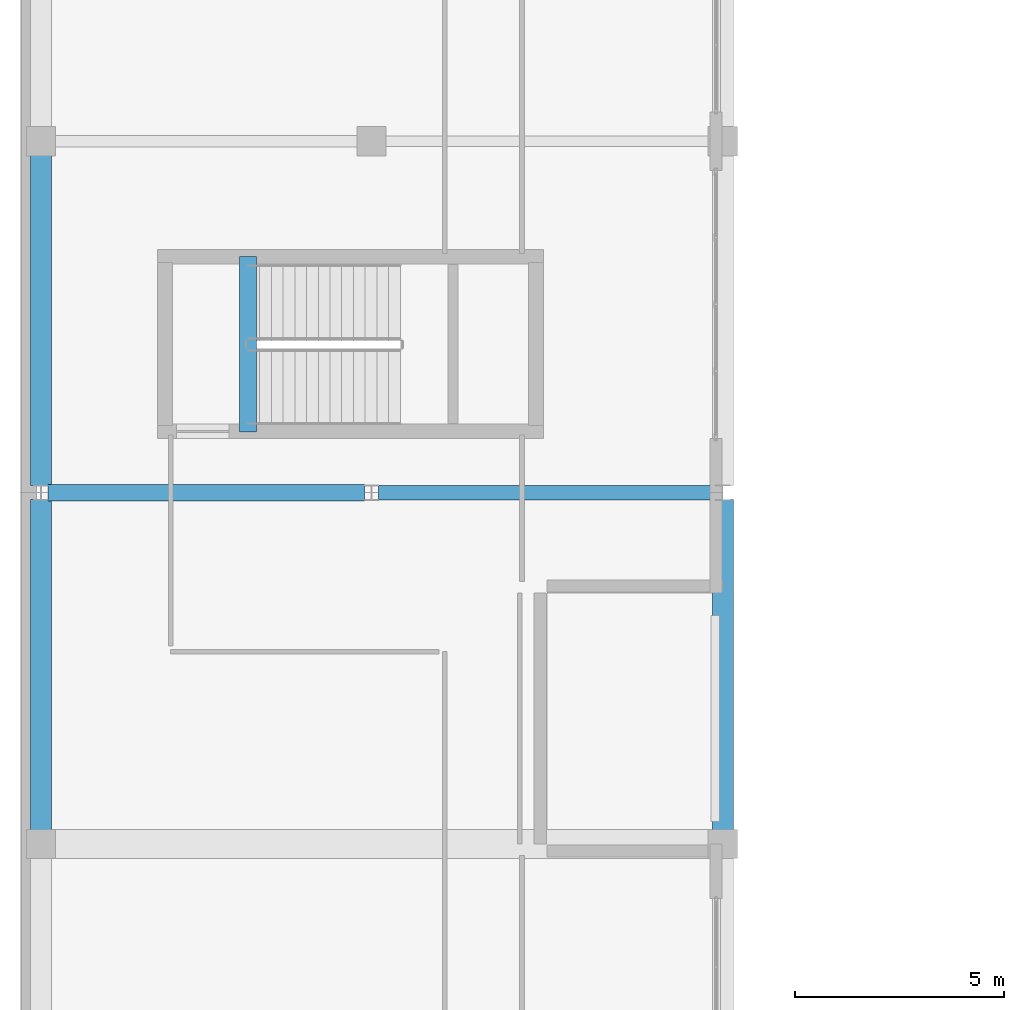
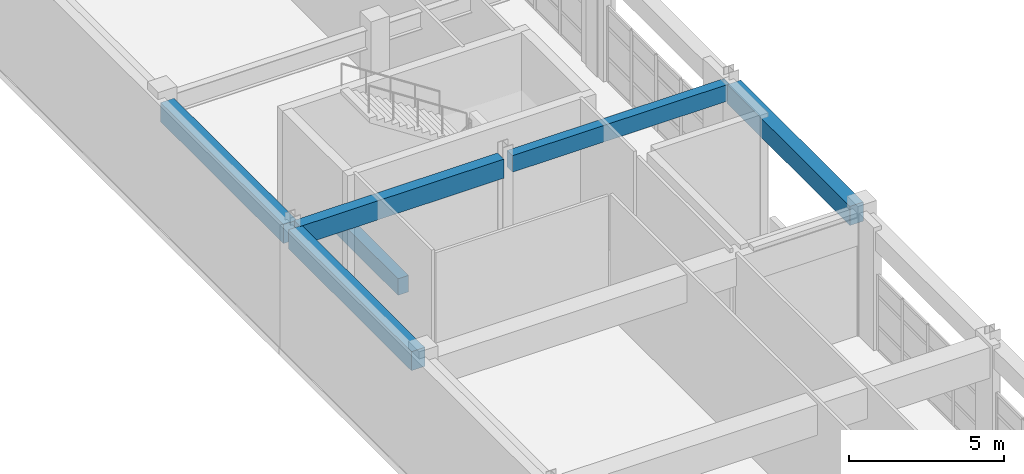
# One storey, part 18 of 103: 6 beams.
"""IFC4 building model written with IfcOpenShell, lengths in metres."""

from ifc_helpers import new_model, si_unit, direction, frame, origin, origin_2d, place, context, subcontext, project, spatial, rectangle, extrude, material, material_profile, profile_set, type_object, element, save


model = new_model("IFC4")

# Units and contexts
model_context = context("Model", 3, precision=1e-05, world=origin(), true_north=direction((0.0, 1.0)))
body_context = subcontext(model_context, "Body", "Model", "MODEL_VIEW")
ifc_project = project(units=[si_unit("LENGTHUNIT", "METRE"), si_unit("AREAUNIT", "SQUARE_METRE"), si_unit("VOLUMEUNIT", "CUBIC_METRE"), si_unit("PLANEANGLEUNIT", "RADIAN"), si_unit("MASSUNIT", "GRAM", prefix="KILO")], contexts=[model_context])

# Site, building, storey
site_placement = place(None, origin())
site = spatial("IfcSite", under=ifc_project, at=site_placement, CompositionType="ELEMENT")
building_placement = place(site_placement, origin())
building = spatial("IfcBuilding", under=site, at=building_placement, Name="Quendrovan Civic Courthouse", CompositionType="ELEMENT")
storey_placement = place(building_placement, frame((0.0, 0.0, 15.300048828125)))
storey = spatial("IfcBuildingStorey", under=building, at=storey_placement, Name="L04", CompositionType="ELEMENT", Elevation=15.300048828125)

# Beams
ifc_material = material(Name="Concrete C40/50", Category="concrete")
ifc_material_profile_1 = material_profile(ifc_material, rectangle(XDim=0.39990234375, YDim=0.64990234375, at=origin_2d()), Name="RC-BM-400x650")
ifc_profile_set_1 = profile_set([ifc_material_profile_1], Name="Concrete C40/50")
beam_type_1 = type_object("IfcBeamType", Name="BM-RC650", PredefinedType="JOIST", material=ifc_profile_set_1)
beam_1_placement = place(storey_placement, frame((5.449951171875, 57.85009765625, -0.324951171875), z_axis=(0.0, 1.0, 0.0), x_axis=(-1.0, 0.0, 0.0)))
element("IfcBeam", 1, at=beam_1_placement, inside=storey, type_object=beam_type_1, Name="L04 Stair ST4 Landing Trimmer Beam", PredefinedType="JOIST", context=body_context, shape_type="SweptSolid", body=[
    extrude(rectangle(XDim=0.39990234375, YDim=0.64990234375, at=origin_2d()), origin(), (0.0, 0.0, 1.0), 4.199951171875),
])
ifc_material_profile_2 = material_profile(ifc_material, rectangle(XDim=0.35009765625, YDim=0.64990234375, at=origin_2d()), Name="RC-BM-350x650")
ifc_profile_set_2 = profile_set([ifc_material_profile_2], Name="Concrete C40/50")
beam_type_2 = type_object("IfcBeamType", Name="BM-RC650B", PredefinedType="BEAM", material=ifc_profile_set_2)
beam_2_placement = place(storey_placement, frame((8.56689453125, 56.39990234375, 4.3349609375), z_axis=(1.0, 0.0, 0.0), x_axis=(0.0, 1.0, 0.0)))
element("IfcBeam", 2, at=beam_2_placement, inside=storey, type_object=beam_type_2, Name="L04 Girder X0905", PredefinedType="BEAM", context=body_context, shape_type="SweptSolid", body=[
    extrude(rectangle(XDim=0.35009765625, YDim=0.64990234375, at=origin_2d()), origin(), (0.0, 0.0, 1.0), 8.066162109375),
])
ifc_material_profile_3 = material_profile(ifc_material, rectangle(XDim=0.5, YDim=0.75, at=origin_2d()), Name="RC-BM-500x750")
ifc_profile_set_3 = profile_set([ifc_material_profile_3], Name="Concrete C40/50")
beam_type_3 = type_object("IfcBeamType", Name="BM-RC750", PredefinedType="SPANDREL", material=ifc_profile_set_3)
beam_3_placement = place(storey_placement, frame((0.5, 48.330078125, 4.284912109375), z_axis=(0.0, 1.0, 0.0), x_axis=(-1.0, 0.0, 0.0)))
element("IfcBeam", 3, at=beam_3_placement, inside=storey, type_object=beam_type_3, Name="L04 Girder Y0942", PredefinedType="SPANDREL", context=body_context, shape_type="SweptSolid", body=[
    extrude(rectangle(XDim=0.5, YDim=0.75, at=origin_2d()), origin(), (0.0, 0.0, 1.0), 7.90380859375),
])
beam_4_placement = place(storey_placement, frame((0.5, 56.56591796875, 4.284912109375), z_axis=(0.0, 1.0, 0.0), x_axis=(-1.0, 0.0, 0.0)))
element("IfcBeam", 4, at=beam_4_placement, inside=storey, type_object=beam_type_3, Name="L04 Girder Y0943", PredefinedType="SPANDREL", context=body_context, shape_type="SweptSolid", body=[
    extrude(rectangle(XDim=0.5, YDim=0.75, at=origin_2d()), origin(), (0.0, 0.0, 1.0), 7.904052734375),
])
beam_5_placement = place(storey_placement, frame((16.800048828125, 48.330078125, 4.284912109375), z_axis=(0.0, 1.0, 0.0), x_axis=(-1.0, 0.0, 0.0)))
element("IfcBeam", 5, at=beam_5_placement, inside=storey, type_object=beam_type_3, Name="L04 Girder Y0957", PredefinedType="SPANDREL", context=body_context, shape_type="SweptSolid", body=[
    extrude(rectangle(XDim=0.5, YDim=0.75, at=origin_2d()), origin(), (0.0, 0.0, 1.0), 7.90380859375),
])
ifc_material_profile_4 = material_profile(ifc_material, rectangle(XDim=0.39990234375, YDim=0.75, at=origin_2d()), Name="RC-BM-400x750")
ifc_profile_set_4 = profile_set([ifc_material_profile_4], Name="Concrete C40/50")
beam_type_4 = type_object("IfcBeamType", Name="BM-RC750B", PredefinedType="BEAM", material=ifc_profile_set_4)
beam_6_placement = place(storey_placement, frame((0.6669921875, 56.39990234375, 4.284912109375), z_axis=(1.0, 0.0, 0.0), x_axis=(0.0, 1.0, 0.0)))
element("IfcBeam", 6, at=beam_6_placement, inside=storey, type_object=beam_type_4, Name="L04 Girder X0904", PredefinedType="BEAM", context=body_context, shape_type="SweptSolid", body=[
    extrude(rectangle(XDim=0.39990234375, YDim=0.75, at=origin_2d()), origin(), (0.0, 0.0, 1.0), 7.56591796875),
])

save(model, "model.ifc")
